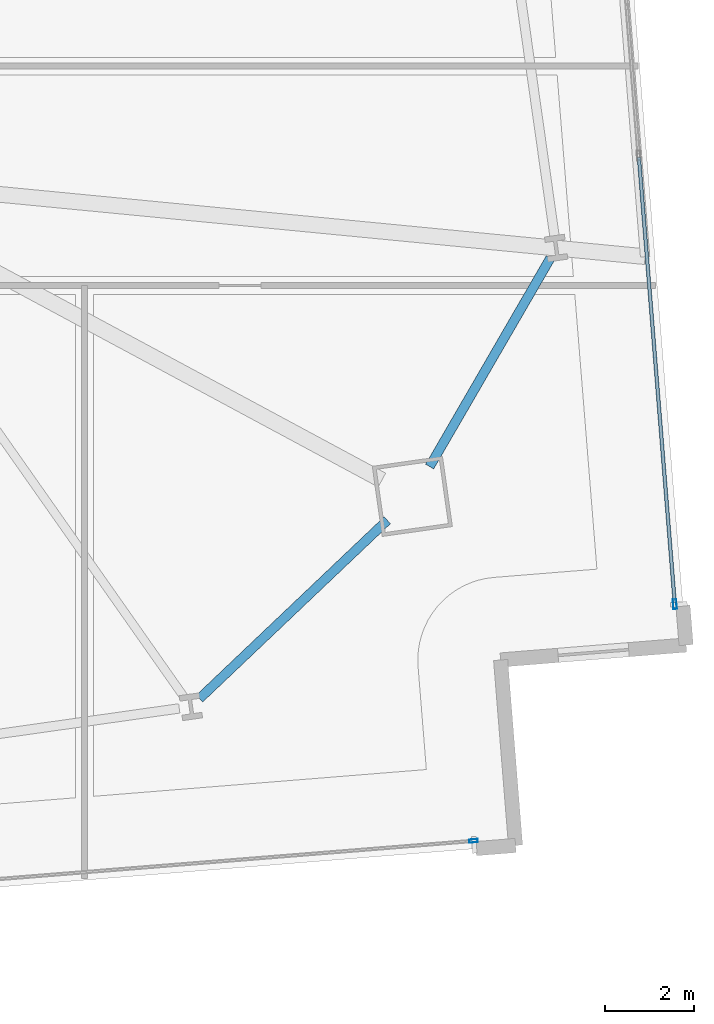
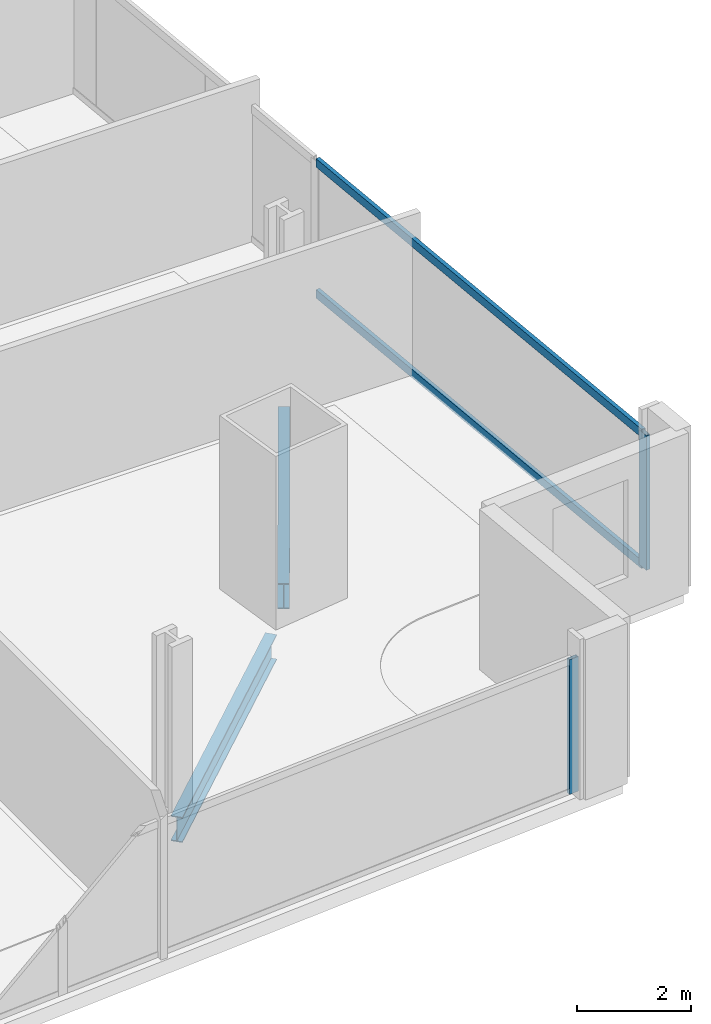
# One storey, part 11 of 33: 4 members, 2 beams, 2 elements without a shape of their own.
"""IFC4 building model written with IfcOpenShell, lengths in metres."""

from ifc_helpers import new_model, si_unit, direction, frame, origin, origin_2d, place, context, subcontext, project, spatial, hollow_rectangle, i_section, extrude, material, material_profile, profile_set, type_object, element, aggregate, save


model = new_model("IFC4")

# Units and contexts
model_context = context("Model", 3, precision=1e-05, world=origin(), true_north=direction((0.0, 1.0)))
body_context = subcontext(model_context, "Body", "Model", "MODEL_VIEW")
ifc_project = project(units=[si_unit("LENGTHUNIT", "METRE"), si_unit("AREAUNIT", "SQUARE_METRE"), si_unit("VOLUMEUNIT", "CUBIC_METRE"), si_unit("PLANEANGLEUNIT", "RADIAN"), si_unit("MASSUNIT", "GRAM", prefix="KILO")], contexts=[model_context])

# Site, building, storey
site_placement = place(None, origin())
site = spatial("IfcSite", under=ifc_project, at=site_placement, CompositionType="ELEMENT")
building_placement = place(site_placement, origin())
building = spatial("IfcBuilding", under=site, at=building_placement, Name="Haldenkirk Collegiate Tower", CompositionType="ELEMENT")
storey_placement = place(building_placement, frame((0.0, 0.0, 43.949951171875)))
storey = spatial("IfcBuildingStorey", under=building, at=storey_placement, Name="L09", CompositionType="ELEMENT", Elevation=43.949951171875)

# Beams
ifc_material_1 = material(Name="Steel ASTM A992 Grade 50", Category="steel")
ifc_material_profile_1 = material_profile(ifc_material_1, i_section(OverallWidth=0.2119140625, OverallDepth=0.5439453125, WebThickness=0.01318359375, FlangeThickness=0.021240234375, at=origin_2d()), Name="W21X83")
ifc_profile_set_1 = profile_set([ifc_material_profile_1], Name="Steel ASTM A992 Grade 50")
beam_type = type_object("IfcBeamType", Name="BM-SPANDREL-W21X83", PredefinedType="SPANDREL", material=ifc_profile_set_1)
beam_1_placement = place(storey_placement, frame((53.594482421875, 6.222412109375, -0.58203125), z_axis=(0.725113023209, 0.688629874151, 0.0), x_axis=(-0.688629874151, 0.725113023209, 0.0)))
element("IfcBeam", 1, at=beam_1_placement, inside=storey, type_object=beam_type, Name="L09 perimeter spandrel beam 04", PredefinedType="SPANDREL", context=body_context, shape_type="SweptSolid", body=[
    extrude(i_section(OverallWidth=0.2119140625, OverallDepth=0.5439453125, WebThickness=0.01318359375, FlangeThickness=0.021240234375, at=origin_2d()), origin(), (0.0, 0.0, 1.0), 5.8486328125),
])
beam_2_placement = place(storey_placement, frame((58.7919921875, 11.462158203125, -0.58203125), z_axis=(0.50120629055, 0.865327830543, 0.0), x_axis=(-0.865327830543, 0.50120629055, 0.0)))
element("IfcBeam", 2, at=beam_2_placement, inside=storey, type_object=beam_type, Name="L09 perimeter spandrel beam 05", PredefinedType="SPANDREL", context=body_context, shape_type="SweptSolid", body=[
    extrude(i_section(OverallWidth=0.2119140625, OverallDepth=0.5439453125, WebThickness=0.01318359375, FlangeThickness=0.021240234375, at=origin_2d()), origin(), (0.0, 0.0, 1.0), 5.43359375),
])

# Curtain wall, member
ifc_material_2 = material(Name="Anodised architectural bronze aluminium", Category="aluminium")
curtain_wall_type_1 = type_object("IfcCurtainWallType", Name="CW-SYS2-CONCAVE", PredefinedType="USERDEFINED", material=ifc_material_2)
curtain_wall_1_placement = place(storey_placement, origin())
curtain_wall_1 = element("IfcCurtainWall", 3, at=curtain_wall_1_placement, inside=storey, type_object=curtain_wall_type_1, Name="L09 South concave recessed bronze-anodised curtain wall", ObjectType="UNITISED CURTAIN WALL", PredefinedType="USERDEFINED")
ifc_material_profile_2 = material_profile(ifc_material_2, hollow_rectangle(XDim=0.074951171875, YDim=0.18994140625, WallThickness=0.0048828125, at=origin_2d()), Name="CW-MUL-02")
ifc_profile_set_2 = profile_set([ifc_material_profile_2], Name="Anodised architectural bronze aluminium")
member_type_1 = type_object("IfcMemberType", Name="CW-MUL-02", PredefinedType="MULLION", material=ifc_profile_set_2)
member_1_placement = place(storey_placement, frame((59.78271484375, 3.01318359375, 0.0), z_axis=(0.0, 0.0, 1.0), x_axis=(0.08019865918, -0.99677889979, 0.0)))
member_1 = element("IfcMember", 4, at=member_1_placement, type_object=member_type_1, Name="CW-02 mullion 1", PredefinedType="MULLION", context=body_context, shape_type="SweptSolid", body=[
    extrude(hollow_rectangle(XDim=0.074951171875, YDim=0.18994140625, WallThickness=0.0048828125, at=origin_2d()), origin(), (0.0, 0.0, 1.0), 2.89111328125),
])
aggregate(curtain_wall_1, [member_1])

# Curtain wall, members
curtain_wall_type_2 = type_object("IfcCurtainWallType", Name="CW-SYS1-CONVEX-LOW", PredefinedType="USERDEFINED", material=ifc_material_2)
curtain_wall_2_placement = place(storey_placement, origin())
curtain_wall_2 = element("IfcCurtainWall", 5, at=curtain_wall_2_placement, inside=storey, type_object=curtain_wall_type_2, Name="L09 Lower tower convex bronze-framed unitised curtain wall", ObjectType="UNITISED CURTAIN WALL", PredefinedType="USERDEFINED")
ifc_material_profile_3 = material_profile(ifc_material_2, hollow_rectangle(XDim=0.080078125, YDim=0.219970703125, WallThickness=0.0048828125, at=origin_2d()), Name="CW-MUL-1A")
ifc_profile_set_3 = profile_set([ifc_material_profile_3], Name="Anodised architectural bronze aluminium")
member_type_2 = type_object("IfcMemberType", Name="CW-MUL-1A", PredefinedType="MULLION", material=ifc_profile_set_3)
member_2_placement = place(storey_placement, frame((64.326416015625, 8.35498046875, 0.0), z_axis=(0.0, 0.0, 1.0), x_axis=(0.996778913457, 0.080198489315, 0.0)))
member_2 = element("IfcMember", 6, at=member_2_placement, type_object=member_type_2, Name="CW-1A mullion 5", PredefinedType="MULLION", context=body_context, shape_type="SweptSolid", body=[
    extrude(hollow_rectangle(XDim=0.080078125, YDim=0.219970703125, WallThickness=0.0048828125, at=origin_2d()), origin(), (0.0, 0.0, 1.0), 2.89111328125),
])
ifc_material_profile_4 = material_profile(ifc_material_2, hollow_rectangle(XDim=0.080078125, YDim=0.179931640625, WallThickness=0.0048828125, at=origin_2d()), Name="CW-TRN-1A")
ifc_profile_set_4 = profile_set([ifc_material_profile_4], Name="Anodised architectural bronze aluminium")
member_type_3 = type_object("IfcMemberType", Name="CW-TRN-1A", PredefinedType="USERDEFINED", material=ifc_profile_set_4)
member_3_placement = place(storey_placement, frame((63.514892578125, 18.4423828125, 0.0400390625), z_axis=(0.080192843794, -0.996779367666, 0.0), x_axis=(0.996779367666, 0.080192843794, 0.0)))
member_3 = element("IfcMember", 7, at=member_3_placement, type_object=member_type_3, Name="CW-1A transom 4.1", ObjectType="TRANSOM", PredefinedType="USERDEFINED", context=body_context, shape_type="SweptSolid", body=[
    extrude(hollow_rectangle(XDim=0.080078125, YDim=0.179931640625, WallThickness=0.0048828125, at=origin_2d()), origin(), (0.0, 0.0, 1.0), 10.080078125),
])
member_4_placement = place(storey_placement, frame((63.514892578125, 18.4423828125, 2.85107421875), z_axis=(0.080192843794, -0.996779367666, 0.0), x_axis=(0.996779367666, 0.080192843794, 0.0)))
member_4 = element("IfcMember", 8, at=member_4_placement, type_object=member_type_3, Name="CW-1A transom 4.2", ObjectType="TRANSOM", PredefinedType="USERDEFINED", context=body_context, shape_type="SweptSolid", body=[
    extrude(hollow_rectangle(XDim=0.080078125, YDim=0.179931640625, WallThickness=0.0048828125, at=origin_2d()), origin(), (0.0, 0.0, 1.0), 10.080078125),
])
aggregate(curtain_wall_2, [member_2, member_3, member_4])

save(model, "model.ifc")
